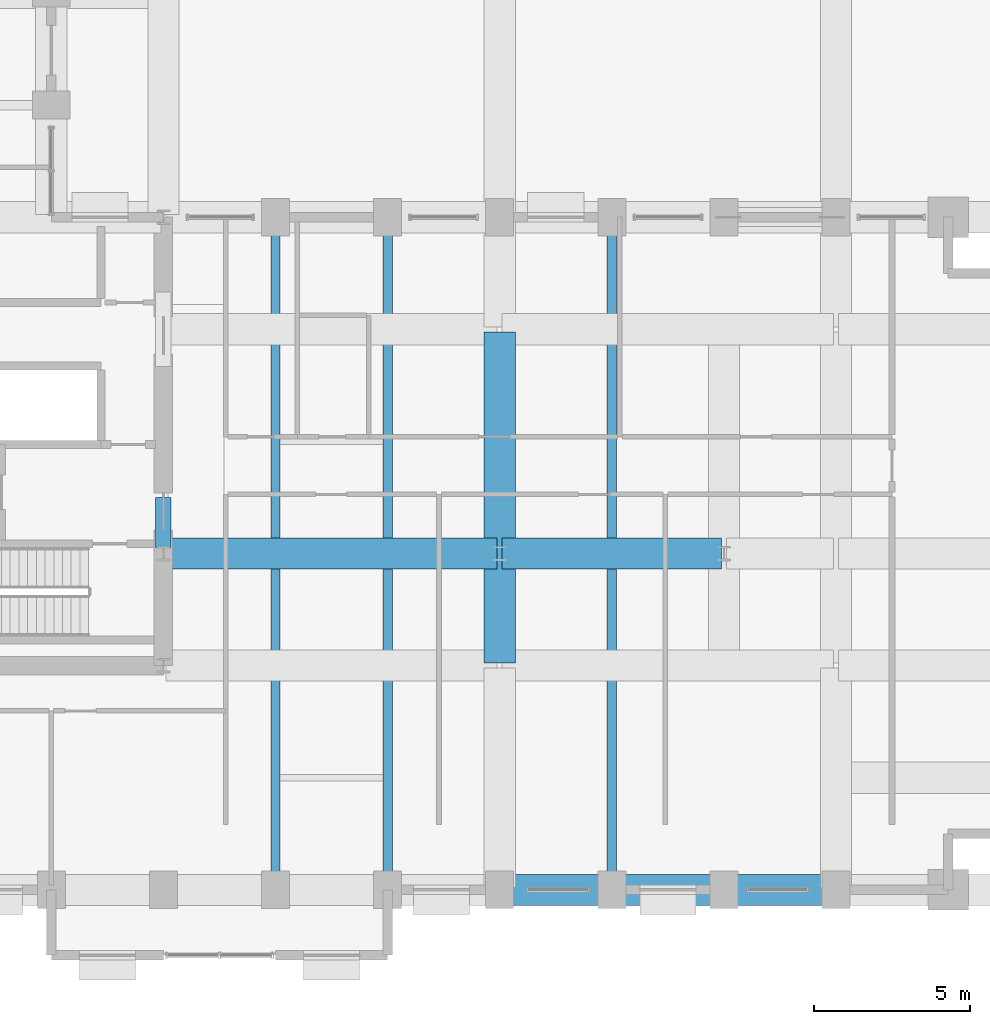
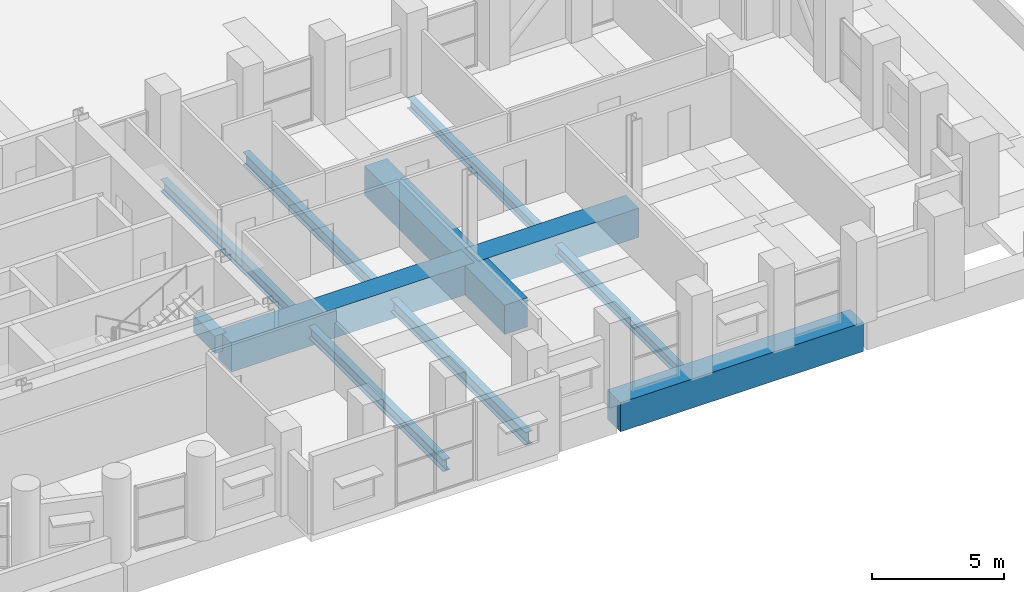
# One storey, part 12 of 39: 8 beams.
"""IFC4 building model written with IfcOpenShell, lengths in metres."""

from ifc_helpers import new_model, si_unit, direction, frame, origin, origin_2d, place, context, subcontext, project, spatial, rectangle, i_section, extrude, material, material_profile, profile_set, type_object, element, save


model = new_model("IFC4")

# Units and contexts
model_context = context("Model", 3, precision=1e-05, world=origin(), true_north=direction((0.0, 1.0)))
body_context = subcontext(model_context, "Body", "Model", "MODEL_VIEW")
ifc_project = project(units=[si_unit("LENGTHUNIT", "METRE"), si_unit("AREAUNIT", "SQUARE_METRE"), si_unit("VOLUMEUNIT", "CUBIC_METRE"), si_unit("PLANEANGLEUNIT", "RADIAN"), si_unit("MASSUNIT", "GRAM", prefix="KILO")], contexts=[model_context])

# Site, building, storey
site_placement = place(None, origin())
site = spatial("IfcSite", under=ifc_project, at=site_placement, CompositionType="ELEMENT")
building_placement = place(site_placement, origin())
building = spatial("IfcBuilding", under=site, at=building_placement, Name="Solnavia Interchange Tower", CompositionType="ELEMENT")
storey_placement = place(building_placement, frame((0.0, 0.0, 24.0)))
storey = spatial("IfcBuildingStorey", under=building, at=storey_placement, Name="L05", CompositionType="ELEMENT", Elevation=24.0)

# Beams
ifc_material_1 = material(Name="Concrete C50/60", Category="concrete")
ifc_material_profile_1 = material_profile(ifc_material_1, rectangle(XDim=0.5, YDim=0.800048828125, at=origin_2d()), Name="RC 500x800")
ifc_profile_set_1 = profile_set([ifc_material_profile_1], Name="Concrete C50/60")
beam_type_1 = type_object("IfcBeamType", Name="Beam-Coupling-RC500x800", PredefinedType="LINTEL", material=ifc_profile_set_1)
beam_1_placement = place(storey_placement, frame((32.39990234375, 14.60009765625, -0.39990234375), z_axis=(0.0, 1.0, 0.0), x_axis=(-1.0, 0.0, 0.0)))
element("IfcBeam", 1, at=beam_1_placement, inside=storey, type_object=beam_type_1, Name="CPB-L05-E1 Core coupling lintel beam", PredefinedType="LINTEL", context=body_context, shape_type="SweptSolid", body=[
    extrude(rectangle(XDim=0.5, YDim=0.800048828125, at=origin_2d()), origin(), (0.0, 0.0, 1.0), 1.599853515625),
])
ifc_material_2 = material(Name="Steel S460", Category="steel")
ifc_material_profile_2 = material_profile(ifc_material_2, i_section(OverallWidth=0.300048828125, OverallDepth=0.550048828125, WebThickness=0.014892578125, FlangeThickness=0.029052734375, FilletRadius=0.027099609375, at=origin_2d()), Name="HEB 550")
ifc_profile_set_2 = profile_set([ifc_material_profile_2], Name="Steel S460")
beam_type_2 = type_object("IfcBeamType", Name="Beam-Girder-HEB550", PredefinedType="BEAM", material=ifc_profile_set_2)
beam_2_placement = place(storey_placement, frame((36.0, 3.679931640625, -0.675048828125), z_axis=(0.0, 1.0, 0.0), x_axis=(-1.0, 0.0, 0.0)))
element("IfcBeam", 2, at=beam_2_placement, inside=storey, type_object=beam_type_2, Name="GRD-L05-EW01 East wing primary floor girder", PredefinedType="BEAM", context=body_context, shape_type="SweptSolid", body=[
    extrude(i_section(OverallWidth=0.300048828125, OverallDepth=0.550048828125, WebThickness=0.014892578125, FlangeThickness=0.029052734375, FilletRadius=0.027099609375, at=origin_2d()), origin(), (0.0, 0.0, 1.0), 21.440185546875),
])
ifc_material_3 = material(Name="Steel S355", Category="steel")
ifc_material_profile_3 = material_profile(ifc_material_3, i_section(OverallWidth=0.300048828125, OverallDepth=0.489990234375, WebThickness=0.011962890625, FlangeThickness=0.02294921875, FilletRadius=0.027099609375, at=origin_2d()), Name="HEA 500")
ifc_profile_set_3 = profile_set([ifc_material_profile_3], Name="Steel S355")
beam_type_3 = type_object("IfcBeamType", Name="Beam-Primary-HEA500", PredefinedType="BEAM", material=ifc_profile_set_3)
beam_3_placement = place(storey_placement, frame((46.800048828125, 3.679931640625, -0.64501953125), z_axis=(0.0, 1.0, 0.0), x_axis=(-1.0, 0.0, 0.0)))
element("IfcBeam", 3, at=beam_3_placement, inside=storey, type_object=beam_type_3, Name="GRD-L05-EW03 East wing primary floor girder", PredefinedType="BEAM", context=body_context, shape_type="SweptSolid", body=[
    extrude(i_section(OverallWidth=0.300048828125, OverallDepth=0.489990234375, WebThickness=0.011962890625, FlangeThickness=0.02294921875, FilletRadius=0.027099609375, at=origin_2d()), origin(), (0.0, 0.0, 1.0), 21.440185546875),
])
ifc_material_profile_4 = material_profile(ifc_material_3, i_section(OverallWidth=0.300048828125, OverallDepth=0.590087890625, WebThickness=0.012939453125, FlangeThickness=0.02490234375, FilletRadius=0.027099609375, at=origin_2d()), Name="HEA 600")
ifc_profile_set_4 = profile_set([ifc_material_profile_4], Name="Steel S355")
beam_type_4 = type_object("IfcBeamType", Name="Beam-Primary-HEA600", PredefinedType="BEAM", material=ifc_profile_set_4)
beam_4_placement = place(storey_placement, frame((39.60009765625, 3.679931640625, -0.695068359375), z_axis=(0.0, 1.0, 0.0), x_axis=(-1.0, 0.0, 0.0)))
element("IfcBeam", 4, at=beam_4_placement, inside=storey, type_object=beam_type_4, Name="GRD-L05-EW02 East wing primary floor girder", PredefinedType="BEAM", context=body_context, shape_type="SweptSolid", body=[
    extrude(i_section(OverallWidth=0.300048828125, OverallDepth=0.590087890625, WebThickness=0.012939453125, FlangeThickness=0.02490234375, FilletRadius=0.027099609375, at=origin_2d()), origin(), (0.0, 0.0, 1.0), 21.440185546875),
])
ifc_material_4 = material(Name="Concrete C60/75", Category="concrete")
ifc_material_profile_5 = material_profile(ifc_material_4, rectangle(XDim=1.0, YDim=1.35009765625, at=origin_2d()), Name="RC 1000x1350")
ifc_profile_set_5 = profile_set([ifc_material_profile_5], Name="Concrete C60/75")
beam_type_5 = type_object("IfcBeamType", Name="Beam-Transfer-RC1000x1350", PredefinedType="BEAM", material=ifc_profile_set_5)
beam_5_placement = place(storey_placement, frame((43.280029296875, 3.60009765625, -0.675048828125), z_axis=(1.0, 0.0, 0.0), x_axis=(0.0, 1.0, 0.0)))
element("IfcBeam", 5, at=beam_5_placement, inside=storey, type_object=beam_type_5, Name="TRB-L05-05 South primary transfer girder", PredefinedType="BEAM", context=body_context, shape_type="SweptSolid", body=[
    extrude(rectangle(XDim=1.0, YDim=1.35009765625, at=origin_2d()), origin(), (0.0, 0.0, 1.0), 10.639892578125),
])
for number, where, z_axis, x_axis, name in (
    (6, (43.199951171875, 10.8798828125, -0.675048828125), (0.0, 1.0, 0.0), (-1.0, 0.0, 0.0), "TRB-L05-47 East N-S primary transfer girder"),
    (7, (32.47998046875, 14.39990234375, -0.675048828125), (1.0, 0.0, 0.0), (0.0, 1.0, 0.0), "TRB-L05-69 East spine transfer girder"),
):
    element("IfcBeam", number, at=place(storey_placement, frame(where, z_axis=z_axis, x_axis=x_axis)), inside=storey, type_object=beam_type_5, Name=name, PredefinedType="BEAM", context=body_context, shape_type="SweptSolid", body=[
        extrude(rectangle(XDim=1.0, YDim=1.35009765625, at=origin_2d()), origin(), (0.0, 0.0, 1.0), 10.64013671875),
    ])
beam_6_placement = place(storey_placement, frame((43.280029296875, 14.39990234375, -0.675048828125), z_axis=(1.0, 0.0, 0.0), x_axis=(0.0, 1.0, 0.0)))
element("IfcBeam", 8, at=beam_6_placement, inside=storey, type_object=beam_type_5, Name="TRB-L05-70 East spine transfer girder", PredefinedType="BEAM", context=body_context, shape_type="SweptSolid", body=[
    extrude(rectangle(XDim=1.0, YDim=1.35009765625, at=origin_2d()), origin(), (0.0, 0.0, 1.0), 7.0400390625),
])

save(model, "model.ifc")
